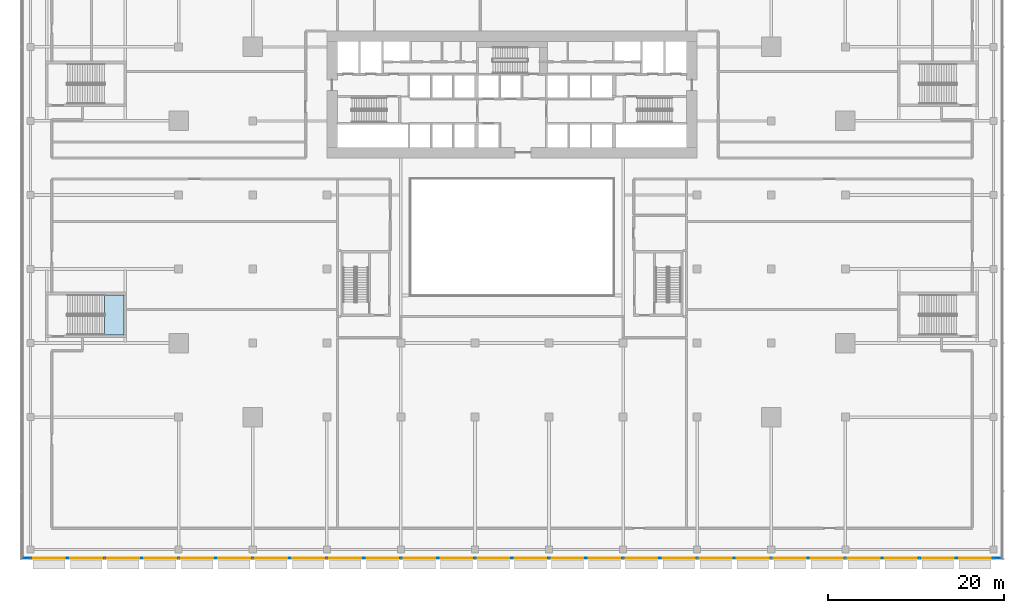
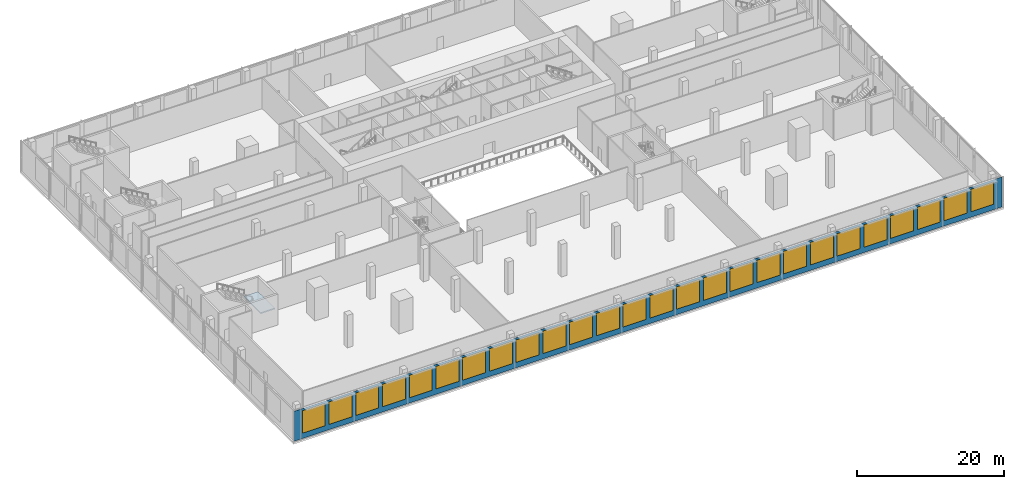
# One storey, part 22 of 39: 26 windows, 1 plate, 1 slab, 26 openings, 2 elements without a shape of their own.
"""IFC4 building model written with IfcOpenShell, lengths in metres."""

from ifc_helpers import new_model, si_unit, direction, frame, frame_2d, origin, place, context, subcontext, project, spatial, polyline, rectangle, outline, extrude, material, layer, layer_set, type_object, element, fill, aggregate, save


model = new_model("IFC4")

# Units and contexts
model_context = context("Model", 3, precision=1e-05, world=origin(), true_north=direction((0.0, 1.0)))
body_context = subcontext(model_context, "Body", "Model", "MODEL_VIEW")
ifc_project = project(units=[si_unit("LENGTHUNIT", "METRE"), si_unit("AREAUNIT", "SQUARE_METRE"), si_unit("VOLUMEUNIT", "CUBIC_METRE"), si_unit("PLANEANGLEUNIT", "RADIAN"), si_unit("MASSUNIT", "GRAM", prefix="KILO")], contexts=[model_context])

# Site, building, storey
site_placement = place(None, origin())
site = spatial("IfcSite", under=ifc_project, at=site_placement, CompositionType="ELEMENT")
building_placement = place(site_placement, origin())
building = spatial("IfcBuilding", under=site, at=building_placement, Name="Saffron Gate Tower", CompositionType="ELEMENT")
storey_placement = place(building_placement, frame((0.0, 0.0, 9.0)))
storey = spatial("IfcBuildingStorey", under=building, at=storey_placement, Name="L01", CompositionType="ELEMENT", Elevation=9.0)

# Curtain wall, plate, openings, windows
ifc_material_1 = material(Name="Aluminium, bronze anodised", Category="aluminium")
curtain_wall_type = type_object("IfcCurtainWallType", Name="CWS5 curtain wall podium ring base", PredefinedType="NOTDEFINED", material=ifc_material_1)
curtain_wall_placement = place(storey_placement, origin())
curtain_wall = element("IfcCurtainWall", 1, at=curtain_wall_placement, inside=storey, type_object=curtain_wall_type, Name="CWS5 run 1", PredefinedType="NOTDEFINED")
ifc_material_2 = material(Name="Clear low-iron laminated glass", Category="glass")
ifc_layer_1 = layer(ifc_material_2, 0.028076171875)
ifc_layer_set_1 = layer_set([ifc_layer_1], Name="CWS5 fixed glass")
plate_type = type_object("IfcPlateType", Name="CWS5 fixed glass", PredefinedType="CURTAIN_PANEL", material=ifc_layer_set_1)
plate_placement = place(storey_placement, frame((32.028076171875, 15.81396484375, 0.0), z_axis=(0.0, 0.0, 1.0), x_axis=(1.0, 0.0, 0.0)))
plate = element("IfcPlate", 2, at=plate_placement, type_object=plate_type, Name="CWS5 glass panel", PredefinedType="CURTAIN_PANEL", context=body_context, shape_type="SweptSolid", body=[
    extrude(rectangle(XDim=111.14404296875, YDim=0.028076171875, at=frame_2d((55.572021484375, 0.0))), origin(), (0.0, 0.0, 1.0), 4.97998046875),
])
opening_1_placement = place(plate_placement, frame((1.27197265625, 0.0, 0.89990234375)))
opening_1 = element("IfcOpeningElement", 3, at=opening_1_placement, cuts=plate, Name="Opening W6", PredefinedType="OPENING", context=body_context, shape_type="SweptSolid", body=[
    extrude(rectangle(XDim=3.60009765625, YDim=3.72998046875, at=frame_2d((1.800048828125, 1.864990234375))), frame((0.0, 0.02392578125, 0.0), z_axis=(0.0, -1.0, 0.0), x_axis=(1.0, 0.0, 0.0)), (0.0, 0.0, 1.0), 0.048095703125),
])
opening_2_placement = place(plate_placement, frame((5.471923828125, 0.0, 0.89990234375)))
opening_2 = element("IfcOpeningElement", 4, at=opening_2_placement, cuts=plate, Name="Opening W6", PredefinedType="OPENING", context=body_context, shape_type="SweptSolid", body=[
    extrude(rectangle(XDim=3.60009765625, YDim=3.72998046875, at=frame_2d((1.800048828125, 1.864990234375))), frame((0.0, 0.02392578125, 0.0), z_axis=(0.0, -1.0, 0.0), x_axis=(1.0, 0.0, 0.0)), (0.0, 0.0, 1.0), 0.048095703125),
])
opening_3_placement = place(plate_placement, frame((9.672119140625, 0.0, 0.89990234375)))
opening_3 = element("IfcOpeningElement", 5, at=opening_3_placement, cuts=plate, Name="Opening W6", PredefinedType="OPENING", context=body_context, shape_type="SweptSolid", body=[
    extrude(rectangle(XDim=3.60009765625, YDim=3.72998046875, at=frame_2d((1.800048828125, 1.864990234375))), frame((0.0, 0.02392578125, 0.0), z_axis=(0.0, -1.0, 0.0), x_axis=(1.0, 0.0, 0.0)), (0.0, 0.0, 1.0), 0.048095703125),
])
opening_4_placement = place(plate_placement, frame((13.8720703125, 0.0, 0.89990234375)))
opening_4 = element("IfcOpeningElement", 6, at=opening_4_placement, cuts=plate, Name="Opening W6", PredefinedType="OPENING", context=body_context, shape_type="SweptSolid", body=[
    extrude(rectangle(XDim=3.60009765625, YDim=3.72998046875, at=frame_2d((1.800048828125, 1.864990234375))), frame((0.0, 0.02392578125, 0.0), z_axis=(0.0, -1.0, 0.0), x_axis=(1.0, 0.0, 0.0)), (0.0, 0.0, 1.0), 0.048095703125),
])
opening_5_placement = place(plate_placement, frame((18.072021484375, 0.0, 0.89990234375)))
opening_5 = element("IfcOpeningElement", 7, at=opening_5_placement, cuts=plate, Name="Opening W6", PredefinedType="OPENING", context=body_context, shape_type="SweptSolid", body=[
    extrude(rectangle(XDim=3.60009765625, YDim=3.72998046875, at=frame_2d((1.800048828125, 1.864990234375))), frame((0.0, 0.02392578125, 0.0), z_axis=(0.0, -1.0, 0.0), x_axis=(1.0, 0.0, 0.0)), (0.0, 0.0, 1.0), 0.048095703125),
])
opening_6_placement = place(plate_placement, frame((22.27197265625, 0.0, 0.89990234375)))
opening_6 = element("IfcOpeningElement", 8, at=opening_6_placement, cuts=plate, Name="Opening W6", PredefinedType="OPENING", context=body_context, shape_type="SweptSolid", body=[
    extrude(rectangle(XDim=3.60009765625, YDim=3.72998046875, at=frame_2d((1.800048828125, 1.864990234375))), frame((0.0, 0.02392578125, 0.0), z_axis=(0.0, -1.0, 0.0), x_axis=(1.0, 0.0, 0.0)), (0.0, 0.0, 1.0), 0.048095703125),
])
opening_7_placement = place(plate_placement, frame((26.471923828125, 0.0, 0.89990234375)))
opening_7 = element("IfcOpeningElement", 9, at=opening_7_placement, cuts=plate, Name="Opening W6", PredefinedType="OPENING", context=body_context, shape_type="SweptSolid", body=[
    extrude(rectangle(XDim=3.60009765625, YDim=3.72998046875, at=frame_2d((1.800048828125, 1.864990234375))), frame((0.0, 0.02392578125, 0.0), z_axis=(0.0, -1.0, 0.0), x_axis=(1.0, 0.0, 0.0)), (0.0, 0.0, 1.0), 0.048095703125),
])
opening_8_placement = place(plate_placement, frame((30.672119140625, 0.0, 0.89990234375)))
opening_8 = element("IfcOpeningElement", 10, at=opening_8_placement, cuts=plate, Name="Opening W6", PredefinedType="OPENING", context=body_context, shape_type="SweptSolid", body=[
    extrude(rectangle(XDim=3.60009765625, YDim=3.72998046875, at=frame_2d((1.800048828125, 1.864990234375))), frame((0.0, 0.02392578125, 0.0), z_axis=(0.0, -1.0, 0.0), x_axis=(1.0, 0.0, 0.0)), (0.0, 0.0, 1.0), 0.048095703125),
])
opening_9_placement = place(plate_placement, frame((34.8720703125, 0.0, 0.89990234375)))
opening_9 = element("IfcOpeningElement", 11, at=opening_9_placement, cuts=plate, Name="Opening W6", PredefinedType="OPENING", context=body_context, shape_type="SweptSolid", body=[
    extrude(rectangle(XDim=3.60009765625, YDim=3.72998046875, at=frame_2d((1.800048828125, 1.864990234375))), frame((0.0, 0.02392578125, 0.0), z_axis=(0.0, -1.0, 0.0), x_axis=(1.0, 0.0, 0.0)), (0.0, 0.0, 1.0), 0.048095703125),
])
opening_10_placement = place(plate_placement, frame((39.072021484375, 0.0, 0.89990234375)))
opening_10 = element("IfcOpeningElement", 12, at=opening_10_placement, cuts=plate, Name="Opening W6", PredefinedType="OPENING", context=body_context, shape_type="SweptSolid", body=[
    extrude(rectangle(XDim=3.60009765625, YDim=3.72998046875, at=frame_2d((1.800048828125, 1.864990234375))), frame((0.0, 0.02392578125, 0.0), z_axis=(0.0, -1.0, 0.0), x_axis=(1.0, 0.0, 0.0)), (0.0, 0.0, 1.0), 0.048095703125),
])
opening_11_placement = place(plate_placement, frame((43.27197265625, 0.0, 0.89990234375)))
opening_11 = element("IfcOpeningElement", 13, at=opening_11_placement, cuts=plate, Name="Opening W6", PredefinedType="OPENING", context=body_context, shape_type="SweptSolid", body=[
    extrude(rectangle(XDim=3.60009765625, YDim=3.72998046875, at=frame_2d((1.800048828125, 1.864990234375))), frame((0.0, 0.02392578125, 0.0), z_axis=(0.0, -1.0, 0.0), x_axis=(1.0, 0.0, 0.0)), (0.0, 0.0, 1.0), 0.048095703125),
])
opening_12_placement = place(plate_placement, frame((47.471923828125, 0.0, 0.89990234375)))
opening_12 = element("IfcOpeningElement", 14, at=opening_12_placement, cuts=plate, Name="Opening W6", PredefinedType="OPENING", context=body_context, shape_type="SweptSolid", body=[
    extrude(rectangle(XDim=3.60009765625, YDim=3.72998046875, at=frame_2d((1.800048828125, 1.864990234375))), frame((0.0, 0.02392578125, 0.0), z_axis=(0.0, -1.0, 0.0), x_axis=(1.0, 0.0, 0.0)), (0.0, 0.0, 1.0), 0.048095703125),
])
opening_13_placement = place(plate_placement, frame((51.672119140625, 0.0, 0.89990234375)))
opening_13 = element("IfcOpeningElement", 15, at=opening_13_placement, cuts=plate, Name="Opening W6", PredefinedType="OPENING", context=body_context, shape_type="SweptSolid", body=[
    extrude(rectangle(XDim=3.60009765625, YDim=3.72998046875, at=frame_2d((1.800048828125, 1.864990234375))), frame((0.0, 0.02392578125, 0.0), z_axis=(0.0, -1.0, 0.0), x_axis=(1.0, 0.0, 0.0)), (0.0, 0.0, 1.0), 0.048095703125),
])
opening_14_placement = place(plate_placement, frame((55.8720703125, 0.0, 0.89990234375)))
opening_14 = element("IfcOpeningElement", 16, at=opening_14_placement, cuts=plate, Name="Opening W6", PredefinedType="OPENING", context=body_context, shape_type="SweptSolid", body=[
    extrude(rectangle(XDim=3.60009765625, YDim=3.72998046875, at=frame_2d((1.800048828125, 1.864990234375))), frame((0.0, 0.02392578125, 0.0), z_axis=(0.0, -1.0, 0.0), x_axis=(1.0, 0.0, 0.0)), (0.0, 0.0, 1.0), 0.048095703125),
])
opening_15_placement = place(plate_placement, frame((60.072021484375, 0.0, 0.89990234375)))
opening_15 = element("IfcOpeningElement", 17, at=opening_15_placement, cuts=plate, Name="Opening W6", PredefinedType="OPENING", context=body_context, shape_type="SweptSolid", body=[
    extrude(rectangle(XDim=3.60009765625, YDim=3.72998046875, at=frame_2d((1.800048828125, 1.864990234375))), frame((0.0, 0.02392578125, 0.0), z_axis=(0.0, -1.0, 0.0), x_axis=(1.0, 0.0, 0.0)), (0.0, 0.0, 1.0), 0.048095703125),
])
opening_16_placement = place(plate_placement, frame((64.27197265625, 0.0, 0.89990234375)))
opening_16 = element("IfcOpeningElement", 18, at=opening_16_placement, cuts=plate, Name="Opening W6", PredefinedType="OPENING", context=body_context, shape_type="SweptSolid", body=[
    extrude(rectangle(XDim=3.60009765625, YDim=3.72998046875, at=frame_2d((1.800048828125, 1.864990234375))), frame((0.0, 0.02392578125, 0.0), z_axis=(0.0, -1.0, 0.0), x_axis=(1.0, 0.0, 0.0)), (0.0, 0.0, 1.0), 0.048095703125),
])
opening_17_placement = place(plate_placement, frame((68.471923828125, 0.0, 0.89990234375)))
opening_17 = element("IfcOpeningElement", 19, at=opening_17_placement, cuts=plate, Name="Opening W6", PredefinedType="OPENING", context=body_context, shape_type="SweptSolid", body=[
    extrude(rectangle(XDim=3.60009765625, YDim=3.72998046875, at=frame_2d((1.800048828125, 1.864990234375))), frame((0.0, 0.02392578125, 0.0), z_axis=(0.0, -1.0, 0.0), x_axis=(1.0, 0.0, 0.0)), (0.0, 0.0, 1.0), 0.048095703125),
])
opening_18_placement = place(plate_placement, frame((72.672119140625, 0.0, 0.89990234375)))
opening_18 = element("IfcOpeningElement", 20, at=opening_18_placement, cuts=plate, Name="Opening W6", PredefinedType="OPENING", context=body_context, shape_type="SweptSolid", body=[
    extrude(rectangle(XDim=3.60009765625, YDim=3.72998046875, at=frame_2d((1.800048828125, 1.864990234375))), frame((0.0, 0.02392578125, 0.0), z_axis=(0.0, -1.0, 0.0), x_axis=(1.0, 0.0, 0.0)), (0.0, 0.0, 1.0), 0.048095703125),
])
opening_19_placement = place(plate_placement, frame((76.8720703125, 0.0, 0.89990234375)))
opening_19 = element("IfcOpeningElement", 21, at=opening_19_placement, cuts=plate, Name="Opening W6", PredefinedType="OPENING", context=body_context, shape_type="SweptSolid", body=[
    extrude(rectangle(XDim=3.60009765625, YDim=3.72998046875, at=frame_2d((1.800048828125, 1.864990234375))), frame((0.0, 0.02392578125, 0.0), z_axis=(0.0, -1.0, 0.0), x_axis=(1.0, 0.0, 0.0)), (0.0, 0.0, 1.0), 0.048095703125),
])
opening_20_placement = place(plate_placement, frame((81.072021484375, 0.0, 0.89990234375)))
opening_20 = element("IfcOpeningElement", 22, at=opening_20_placement, cuts=plate, Name="Opening W6", PredefinedType="OPENING", context=body_context, shape_type="SweptSolid", body=[
    extrude(rectangle(XDim=3.60009765625, YDim=3.72998046875, at=frame_2d((1.800048828125, 1.864990234375))), frame((0.0, 0.02392578125, 0.0), z_axis=(0.0, -1.0, 0.0), x_axis=(1.0, 0.0, 0.0)), (0.0, 0.0, 1.0), 0.048095703125),
])
opening_21_placement = place(plate_placement, frame((85.27197265625, 0.0, 0.89990234375)))
opening_21 = element("IfcOpeningElement", 23, at=opening_21_placement, cuts=plate, Name="Opening W6", PredefinedType="OPENING", context=body_context, shape_type="SweptSolid", body=[
    extrude(rectangle(XDim=3.60009765625, YDim=3.72998046875, at=frame_2d((1.800048828125, 1.864990234375))), frame((0.0, 0.02392578125, 0.0), z_axis=(0.0, -1.0, 0.0), x_axis=(1.0, 0.0, 0.0)), (0.0, 0.0, 1.0), 0.048095703125),
])
opening_22_placement = place(plate_placement, frame((89.471923828125, 0.0, 0.89990234375)))
opening_22 = element("IfcOpeningElement", 24, at=opening_22_placement, cuts=plate, Name="Opening W6", PredefinedType="OPENING", context=body_context, shape_type="SweptSolid", body=[
    extrude(rectangle(XDim=3.60009765625, YDim=3.72998046875, at=frame_2d((1.800048828125, 1.864990234375))), frame((0.0, 0.02392578125, 0.0), z_axis=(0.0, -1.0, 0.0), x_axis=(1.0, 0.0, 0.0)), (0.0, 0.0, 1.0), 0.048095703125),
])
opening_23_placement = place(plate_placement, frame((93.672119140625, 0.0, 0.89990234375)))
opening_23 = element("IfcOpeningElement", 25, at=opening_23_placement, cuts=plate, Name="Opening W6", PredefinedType="OPENING", context=body_context, shape_type="SweptSolid", body=[
    extrude(rectangle(XDim=3.60009765625, YDim=3.72998046875, at=frame_2d((1.800048828125, 1.864990234375))), frame((0.0, 0.02392578125, 0.0), z_axis=(0.0, -1.0, 0.0), x_axis=(1.0, 0.0, 0.0)), (0.0, 0.0, 1.0), 0.048095703125),
])
opening_24_placement = place(plate_placement, frame((97.8720703125, 0.0, 0.89990234375)))
opening_24 = element("IfcOpeningElement", 26, at=opening_24_placement, cuts=plate, Name="Opening W6", PredefinedType="OPENING", context=body_context, shape_type="SweptSolid", body=[
    extrude(rectangle(XDim=3.60009765625, YDim=3.72998046875, at=frame_2d((1.800048828125, 1.864990234375))), frame((0.0, 0.02392578125, 0.0), z_axis=(0.0, -1.0, 0.0), x_axis=(1.0, 0.0, 0.0)), (0.0, 0.0, 1.0), 0.048095703125),
])
opening_25_placement = place(plate_placement, frame((102.072021484375, 0.0, 0.89990234375)))
opening_25 = element("IfcOpeningElement", 27, at=opening_25_placement, cuts=plate, Name="Opening W6", PredefinedType="OPENING", context=body_context, shape_type="SweptSolid", body=[
    extrude(rectangle(XDim=3.60009765625, YDim=3.72998046875, at=frame_2d((1.800048828125, 1.864990234375))), frame((0.0, 0.02392578125, 0.0), z_axis=(0.0, -1.0, 0.0), x_axis=(1.0, 0.0, 0.0)), (0.0, 0.0, 1.0), 0.048095703125),
])
opening_26_placement = place(plate_placement, frame((106.27197265625, 0.0, 0.89990234375)))
opening_26 = element("IfcOpeningElement", 28, at=opening_26_placement, cuts=plate, Name="Opening W6", PredefinedType="OPENING", context=body_context, shape_type="SweptSolid", body=[
    extrude(rectangle(XDim=3.60009765625, YDim=3.72998046875, at=frame_2d((1.800048828125, 1.864990234375))), frame((0.0, 0.02392578125, 0.0), z_axis=(0.0, -1.0, 0.0), x_axis=(1.0, 0.0, 0.0)), (0.0, 0.0, 1.0), 0.048095703125),
])
ifc_material_3 = material(Name="Fritted bronze-tinted laminated glass in bronze frame", Category="glass")
ifc_layer_2 = layer(ifc_material_3, 0.06005859375)
ifc_layer_set_2 = layer_set([ifc_layer_2], Name="W6 operable panel 3600x3730")
window_type = type_object("IfcWindowType", Name="W6 operable panel 3600x3730", PartitioningType="DOUBLE_PANEL_HORIZONTAL", PredefinedType="WINDOW", material=ifc_layer_set_2)
window_1_placement = place(opening_1_placement, origin())
window_1 = element("IfcWindow", 29, at=window_1_placement, type_object=window_type, Name="W6 operable panel", OverallHeight=3.72998046875, OverallWidth=3.60009765625, PartitioningType="SINGLE_PANEL", PredefinedType="WINDOW", context=body_context, shape_type="SweptSolid", body=[
    extrude(rectangle(XDim=3.60009765625, YDim=3.72998046875, at=frame_2d((1.800048828125, 1.864990234375))), frame((0.0, 0.013671875, 0.0), z_axis=(0.0, -1.0, 0.0), x_axis=(1.0, 0.0, 0.0)), (0.0, 0.0, 1.0), 0.027587890625),
])
fill(opening_1, window_1)
window_2_placement = place(opening_2_placement, origin())
window_2 = element("IfcWindow", 30, at=window_2_placement, type_object=window_type, Name="W6 operable panel", OverallHeight=3.72998046875, OverallWidth=3.60009765625, PartitioningType="SINGLE_PANEL", PredefinedType="WINDOW", context=body_context, shape_type="SweptSolid", body=[
    extrude(rectangle(XDim=3.60009765625, YDim=3.72998046875, at=frame_2d((1.800048828125, 1.864990234375))), frame((0.0, 0.013671875, 0.0), z_axis=(0.0, -1.0, 0.0), x_axis=(1.0, 0.0, 0.0)), (0.0, 0.0, 1.0), 0.027587890625),
])
fill(opening_2, window_2)
window_3_placement = place(opening_3_placement, origin())
window_3 = element("IfcWindow", 31, at=window_3_placement, type_object=window_type, Name="W6 operable panel", OverallHeight=3.72998046875, OverallWidth=3.60009765625, PartitioningType="SINGLE_PANEL", PredefinedType="WINDOW", context=body_context, shape_type="SweptSolid", body=[
    extrude(rectangle(XDim=3.60009765625, YDim=3.72998046875, at=frame_2d((1.800048828125, 1.864990234375))), frame((0.0, 0.013671875, 0.0), z_axis=(0.0, -1.0, 0.0), x_axis=(1.0, 0.0, 0.0)), (0.0, 0.0, 1.0), 0.027587890625),
])
fill(opening_3, window_3)
window_4_placement = place(opening_4_placement, origin())
window_4 = element("IfcWindow", 32, at=window_4_placement, type_object=window_type, Name="W6 operable panel", OverallHeight=3.72998046875, OverallWidth=3.60009765625, PartitioningType="SINGLE_PANEL", PredefinedType="WINDOW", context=body_context, shape_type="SweptSolid", body=[
    extrude(rectangle(XDim=3.60009765625, YDim=3.72998046875, at=frame_2d((1.800048828125, 1.864990234375))), frame((0.0, 0.013671875, 0.0), z_axis=(0.0, -1.0, 0.0), x_axis=(1.0, 0.0, 0.0)), (0.0, 0.0, 1.0), 0.027587890625),
])
fill(opening_4, window_4)
window_5_placement = place(opening_5_placement, origin())
window_5 = element("IfcWindow", 33, at=window_5_placement, type_object=window_type, Name="W6 operable panel", OverallHeight=3.72998046875, OverallWidth=3.60009765625, PartitioningType="SINGLE_PANEL", PredefinedType="WINDOW", context=body_context, shape_type="SweptSolid", body=[
    extrude(rectangle(XDim=3.60009765625, YDim=3.72998046875, at=frame_2d((1.800048828125, 1.864990234375))), frame((0.0, 0.013671875, 0.0), z_axis=(0.0, -1.0, 0.0), x_axis=(1.0, 0.0, 0.0)), (0.0, 0.0, 1.0), 0.027587890625),
])
fill(opening_5, window_5)
window_6_placement = place(opening_6_placement, origin())
window_6 = element("IfcWindow", 34, at=window_6_placement, type_object=window_type, Name="W6 operable panel", OverallHeight=3.72998046875, OverallWidth=3.60009765625, PartitioningType="SINGLE_PANEL", PredefinedType="WINDOW", context=body_context, shape_type="SweptSolid", body=[
    extrude(rectangle(XDim=3.60009765625, YDim=3.72998046875, at=frame_2d((1.800048828125, 1.864990234375))), frame((0.0, 0.013671875, 0.0), z_axis=(0.0, -1.0, 0.0), x_axis=(1.0, 0.0, 0.0)), (0.0, 0.0, 1.0), 0.027587890625),
])
fill(opening_6, window_6)
window_7_placement = place(opening_7_placement, origin())
window_7 = element("IfcWindow", 35, at=window_7_placement, type_object=window_type, Name="W6 operable panel", OverallHeight=3.72998046875, OverallWidth=3.60009765625, PartitioningType="SINGLE_PANEL", PredefinedType="WINDOW", context=body_context, shape_type="SweptSolid", body=[
    extrude(rectangle(XDim=3.60009765625, YDim=3.72998046875, at=frame_2d((1.800048828125, 1.864990234375))), frame((0.0, 0.013671875, 0.0), z_axis=(0.0, -1.0, 0.0), x_axis=(1.0, 0.0, 0.0)), (0.0, 0.0, 1.0), 0.027587890625),
])
fill(opening_7, window_7)
window_8_placement = place(opening_8_placement, origin())
window_8 = element("IfcWindow", 36, at=window_8_placement, type_object=window_type, Name="W6 operable panel", OverallHeight=3.72998046875, OverallWidth=3.60009765625, PartitioningType="SINGLE_PANEL", PredefinedType="WINDOW", context=body_context, shape_type="SweptSolid", body=[
    extrude(rectangle(XDim=3.60009765625, YDim=3.72998046875, at=frame_2d((1.800048828125, 1.864990234375))), frame((0.0, 0.013671875, 0.0), z_axis=(0.0, -1.0, 0.0), x_axis=(1.0, 0.0, 0.0)), (0.0, 0.0, 1.0), 0.027587890625),
])
fill(opening_8, window_8)
window_9_placement = place(opening_9_placement, origin())
window_9 = element("IfcWindow", 37, at=window_9_placement, type_object=window_type, Name="W6 operable panel", OverallHeight=3.72998046875, OverallWidth=3.60009765625, PartitioningType="SINGLE_PANEL", PredefinedType="WINDOW", context=body_context, shape_type="SweptSolid", body=[
    extrude(rectangle(XDim=3.60009765625, YDim=3.72998046875, at=frame_2d((1.800048828125, 1.864990234375))), frame((0.0, 0.013671875, 0.0), z_axis=(0.0, -1.0, 0.0), x_axis=(1.0, 0.0, 0.0)), (0.0, 0.0, 1.0), 0.027587890625),
])
fill(opening_9, window_9)
window_10_placement = place(opening_10_placement, origin())
window_10 = element("IfcWindow", 38, at=window_10_placement, type_object=window_type, Name="W6 operable panel", OverallHeight=3.72998046875, OverallWidth=3.60009765625, PartitioningType="SINGLE_PANEL", PredefinedType="WINDOW", context=body_context, shape_type="SweptSolid", body=[
    extrude(rectangle(XDim=3.60009765625, YDim=3.72998046875, at=frame_2d((1.800048828125, 1.864990234375))), frame((0.0, 0.013671875, 0.0), z_axis=(0.0, -1.0, 0.0), x_axis=(1.0, 0.0, 0.0)), (0.0, 0.0, 1.0), 0.027587890625),
])
fill(opening_10, window_10)
window_11_placement = place(opening_11_placement, origin())
window_11 = element("IfcWindow", 39, at=window_11_placement, type_object=window_type, Name="W6 operable panel", OverallHeight=3.72998046875, OverallWidth=3.60009765625, PartitioningType="SINGLE_PANEL", PredefinedType="WINDOW", context=body_context, shape_type="SweptSolid", body=[
    extrude(rectangle(XDim=3.60009765625, YDim=3.72998046875, at=frame_2d((1.800048828125, 1.864990234375))), frame((0.0, 0.013671875, 0.0), z_axis=(0.0, -1.0, 0.0), x_axis=(1.0, 0.0, 0.0)), (0.0, 0.0, 1.0), 0.027587890625),
])
fill(opening_11, window_11)
window_12_placement = place(opening_12_placement, origin())
window_12 = element("IfcWindow", 40, at=window_12_placement, type_object=window_type, Name="W6 operable panel", OverallHeight=3.72998046875, OverallWidth=3.60009765625, PartitioningType="SINGLE_PANEL", PredefinedType="WINDOW", context=body_context, shape_type="SweptSolid", body=[
    extrude(rectangle(XDim=3.60009765625, YDim=3.72998046875, at=frame_2d((1.800048828125, 1.864990234375))), frame((0.0, 0.013671875, 0.0), z_axis=(0.0, -1.0, 0.0), x_axis=(1.0, 0.0, 0.0)), (0.0, 0.0, 1.0), 0.027587890625),
])
fill(opening_12, window_12)
window_13_placement = place(opening_13_placement, origin())
window_13 = element("IfcWindow", 41, at=window_13_placement, type_object=window_type, Name="W6 operable panel", OverallHeight=3.72998046875, OverallWidth=3.60009765625, PartitioningType="SINGLE_PANEL", PredefinedType="WINDOW", context=body_context, shape_type="SweptSolid", body=[
    extrude(rectangle(XDim=3.60009765625, YDim=3.72998046875, at=frame_2d((1.800048828125, 1.864990234375))), frame((0.0, 0.013671875, 0.0), z_axis=(0.0, -1.0, 0.0), x_axis=(1.0, 0.0, 0.0)), (0.0, 0.0, 1.0), 0.027587890625),
])
fill(opening_13, window_13)
window_14_placement = place(opening_14_placement, origin())
window_14 = element("IfcWindow", 42, at=window_14_placement, type_object=window_type, Name="W6 operable panel", OverallHeight=3.72998046875, OverallWidth=3.60009765625, PartitioningType="SINGLE_PANEL", PredefinedType="WINDOW", context=body_context, shape_type="SweptSolid", body=[
    extrude(rectangle(XDim=3.60009765625, YDim=3.72998046875, at=frame_2d((1.800048828125, 1.864990234375))), frame((0.0, 0.013671875, 0.0), z_axis=(0.0, -1.0, 0.0), x_axis=(1.0, 0.0, 0.0)), (0.0, 0.0, 1.0), 0.027587890625),
])
fill(opening_14, window_14)
window_15_placement = place(opening_15_placement, origin())
window_15 = element("IfcWindow", 43, at=window_15_placement, type_object=window_type, Name="W6 operable panel", OverallHeight=3.72998046875, OverallWidth=3.60009765625, PartitioningType="SINGLE_PANEL", PredefinedType="WINDOW", context=body_context, shape_type="SweptSolid", body=[
    extrude(rectangle(XDim=3.60009765625, YDim=3.72998046875, at=frame_2d((1.800048828125, 1.864990234375))), frame((0.0, 0.013671875, 0.0), z_axis=(0.0, -1.0, 0.0), x_axis=(1.0, 0.0, 0.0)), (0.0, 0.0, 1.0), 0.027587890625),
])
fill(opening_15, window_15)
window_16_placement = place(opening_16_placement, origin())
window_16 = element("IfcWindow", 44, at=window_16_placement, type_object=window_type, Name="W6 operable panel", OverallHeight=3.72998046875, OverallWidth=3.60009765625, PartitioningType="SINGLE_PANEL", PredefinedType="WINDOW", context=body_context, shape_type="SweptSolid", body=[
    extrude(rectangle(XDim=3.60009765625, YDim=3.72998046875, at=frame_2d((1.800048828125, 1.864990234375))), frame((0.0, 0.013671875, 0.0), z_axis=(0.0, -1.0, 0.0), x_axis=(1.0, 0.0, 0.0)), (0.0, 0.0, 1.0), 0.027587890625),
])
fill(opening_16, window_16)
window_17_placement = place(opening_17_placement, origin())
window_17 = element("IfcWindow", 45, at=window_17_placement, type_object=window_type, Name="W6 operable panel", OverallHeight=3.72998046875, OverallWidth=3.60009765625, PartitioningType="SINGLE_PANEL", PredefinedType="WINDOW", context=body_context, shape_type="SweptSolid", body=[
    extrude(rectangle(XDim=3.60009765625, YDim=3.72998046875, at=frame_2d((1.800048828125, 1.864990234375))), frame((0.0, 0.013671875, 0.0), z_axis=(0.0, -1.0, 0.0), x_axis=(1.0, 0.0, 0.0)), (0.0, 0.0, 1.0), 0.027587890625),
])
fill(opening_17, window_17)
window_18_placement = place(opening_18_placement, origin())
window_18 = element("IfcWindow", 46, at=window_18_placement, type_object=window_type, Name="W6 operable panel", OverallHeight=3.72998046875, OverallWidth=3.60009765625, PartitioningType="SINGLE_PANEL", PredefinedType="WINDOW", context=body_context, shape_type="SweptSolid", body=[
    extrude(rectangle(XDim=3.60009765625, YDim=3.72998046875, at=frame_2d((1.800048828125, 1.864990234375))), frame((0.0, 0.013671875, 0.0), z_axis=(0.0, -1.0, 0.0), x_axis=(1.0, 0.0, 0.0)), (0.0, 0.0, 1.0), 0.027587890625),
])
fill(opening_18, window_18)
window_19_placement = place(opening_19_placement, origin())
window_19 = element("IfcWindow", 47, at=window_19_placement, type_object=window_type, Name="W6 operable panel", OverallHeight=3.72998046875, OverallWidth=3.60009765625, PartitioningType="SINGLE_PANEL", PredefinedType="WINDOW", context=body_context, shape_type="SweptSolid", body=[
    extrude(rectangle(XDim=3.60009765625, YDim=3.72998046875, at=frame_2d((1.800048828125, 1.864990234375))), frame((0.0, 0.013671875, 0.0), z_axis=(0.0, -1.0, 0.0), x_axis=(1.0, 0.0, 0.0)), (0.0, 0.0, 1.0), 0.027587890625),
])
fill(opening_19, window_19)
window_20_placement = place(opening_20_placement, origin())
window_20 = element("IfcWindow", 48, at=window_20_placement, type_object=window_type, Name="W6 operable panel", OverallHeight=3.72998046875, OverallWidth=3.60009765625, PartitioningType="SINGLE_PANEL", PredefinedType="WINDOW", context=body_context, shape_type="SweptSolid", body=[
    extrude(rectangle(XDim=3.60009765625, YDim=3.72998046875, at=frame_2d((1.800048828125, 1.864990234375))), frame((0.0, 0.013671875, 0.0), z_axis=(0.0, -1.0, 0.0), x_axis=(1.0, 0.0, 0.0)), (0.0, 0.0, 1.0), 0.027587890625),
])
fill(opening_20, window_20)
window_21_placement = place(opening_21_placement, origin())
window_21 = element("IfcWindow", 49, at=window_21_placement, type_object=window_type, Name="W6 operable panel", OverallHeight=3.72998046875, OverallWidth=3.60009765625, PartitioningType="SINGLE_PANEL", PredefinedType="WINDOW", context=body_context, shape_type="SweptSolid", body=[
    extrude(rectangle(XDim=3.60009765625, YDim=3.72998046875, at=frame_2d((1.800048828125, 1.864990234375))), frame((0.0, 0.013671875, 0.0), z_axis=(0.0, -1.0, 0.0), x_axis=(1.0, 0.0, 0.0)), (0.0, 0.0, 1.0), 0.027587890625),
])
fill(opening_21, window_21)
window_22_placement = place(opening_22_placement, origin())
window_22 = element("IfcWindow", 50, at=window_22_placement, type_object=window_type, Name="W6 operable panel", OverallHeight=3.72998046875, OverallWidth=3.60009765625, PartitioningType="SINGLE_PANEL", PredefinedType="WINDOW", context=body_context, shape_type="SweptSolid", body=[
    extrude(rectangle(XDim=3.60009765625, YDim=3.72998046875, at=frame_2d((1.800048828125, 1.864990234375))), frame((0.0, 0.013671875, 0.0), z_axis=(0.0, -1.0, 0.0), x_axis=(1.0, 0.0, 0.0)), (0.0, 0.0, 1.0), 0.027587890625),
])
fill(opening_22, window_22)
window_23_placement = place(opening_23_placement, origin())
window_23 = element("IfcWindow", 51, at=window_23_placement, type_object=window_type, Name="W6 operable panel", OverallHeight=3.72998046875, OverallWidth=3.60009765625, PartitioningType="SINGLE_PANEL", PredefinedType="WINDOW", context=body_context, shape_type="SweptSolid", body=[
    extrude(rectangle(XDim=3.60009765625, YDim=3.72998046875, at=frame_2d((1.800048828125, 1.864990234375))), frame((0.0, 0.013671875, 0.0), z_axis=(0.0, -1.0, 0.0), x_axis=(1.0, 0.0, 0.0)), (0.0, 0.0, 1.0), 0.027587890625),
])
fill(opening_23, window_23)
window_24_placement = place(opening_24_placement, origin())
window_24 = element("IfcWindow", 52, at=window_24_placement, type_object=window_type, Name="W6 operable panel", OverallHeight=3.72998046875, OverallWidth=3.60009765625, PartitioningType="SINGLE_PANEL", PredefinedType="WINDOW", context=body_context, shape_type="SweptSolid", body=[
    extrude(rectangle(XDim=3.60009765625, YDim=3.72998046875, at=frame_2d((1.800048828125, 1.864990234375))), frame((0.0, 0.013671875, 0.0), z_axis=(0.0, -1.0, 0.0), x_axis=(1.0, 0.0, 0.0)), (0.0, 0.0, 1.0), 0.027587890625),
])
fill(opening_24, window_24)
window_25_placement = place(opening_25_placement, origin())
window_25 = element("IfcWindow", 53, at=window_25_placement, type_object=window_type, Name="W6 operable panel", OverallHeight=3.72998046875, OverallWidth=3.60009765625, PartitioningType="SINGLE_PANEL", PredefinedType="WINDOW", context=body_context, shape_type="SweptSolid", body=[
    extrude(rectangle(XDim=3.60009765625, YDim=3.72998046875, at=frame_2d((1.800048828125, 1.864990234375))), frame((0.0, 0.013671875, 0.0), z_axis=(0.0, -1.0, 0.0), x_axis=(1.0, 0.0, 0.0)), (0.0, 0.0, 1.0), 0.027587890625),
])
fill(opening_25, window_25)
window_26_placement = place(opening_26_placement, origin())
window_26 = element("IfcWindow", 54, at=window_26_placement, type_object=window_type, Name="W6 operable panel", OverallHeight=3.72998046875, OverallWidth=3.60009765625, PartitioningType="SINGLE_PANEL", PredefinedType="WINDOW", context=body_context, shape_type="SweptSolid", body=[
    extrude(rectangle(XDim=3.60009765625, YDim=3.72998046875, at=frame_2d((1.800048828125, 1.864990234375))), frame((0.0, 0.013671875, 0.0), z_axis=(0.0, -1.0, 0.0), x_axis=(1.0, 0.0, 0.0)), (0.0, 0.0, 1.0), 0.027587890625),
])
fill(opening_26, window_26)
aggregate(curtain_wall, [plate, window_1, window_2, window_3, window_4, window_5, window_6, window_7, window_8, window_9, window_10, window_11, window_12, window_13, window_14, window_15, window_16, window_17, window_18, window_19, window_20, window_21, window_22, window_23, window_24, window_25, window_26])

# Stair, slab
ifc_material_4 = material(Name="Concrete C40", Category="concrete")
stair_type = type_object("IfcStairType", Name="ST10 Stair 2200 wide, 32 risers of 169", PredefinedType="HALF_TURN_STAIR", material=ifc_material_4)
stair_placement = place(storey_placement, origin())
stair = element("IfcStair", 55, at=stair_placement, inside=storey, type_object=stair_type, Name="L01 Exit stair H", PredefinedType="HALF_TURN_STAIR")
ifc_layer_3 = layer(ifc_material_4, 0.199951171875)
ifc_layer_set_3 = layer_set([ifc_layer_3], Name="SL1 Stair landing 200")
slab_type = type_object("IfcSlabType", Name="SL1 Stair landing 200", PredefinedType="LANDING", material=ifc_layer_set_3)
slab_placement = place(storey_placement, frame((0.0, 0.0, 2.5)))
slab = element("IfcSlab", 56, at=slab_placement, type_object=slab_type, Name="ST-H landing 1", PredefinedType="LANDING", context=body_context, shape_type="SweptSolid", body=[
    extrude(outline(polyline([(41.39990234375, 41.125), (43.60009765625, 41.125), (43.60009765625, 45.675048828125), (41.39990234375, 45.675048828125), (41.39990234375, 41.125)])), origin(), (0.0, 0.0, 1.0), 0.199951171875),
])
aggregate(stair, [slab])

save(model, "model.ifc")
